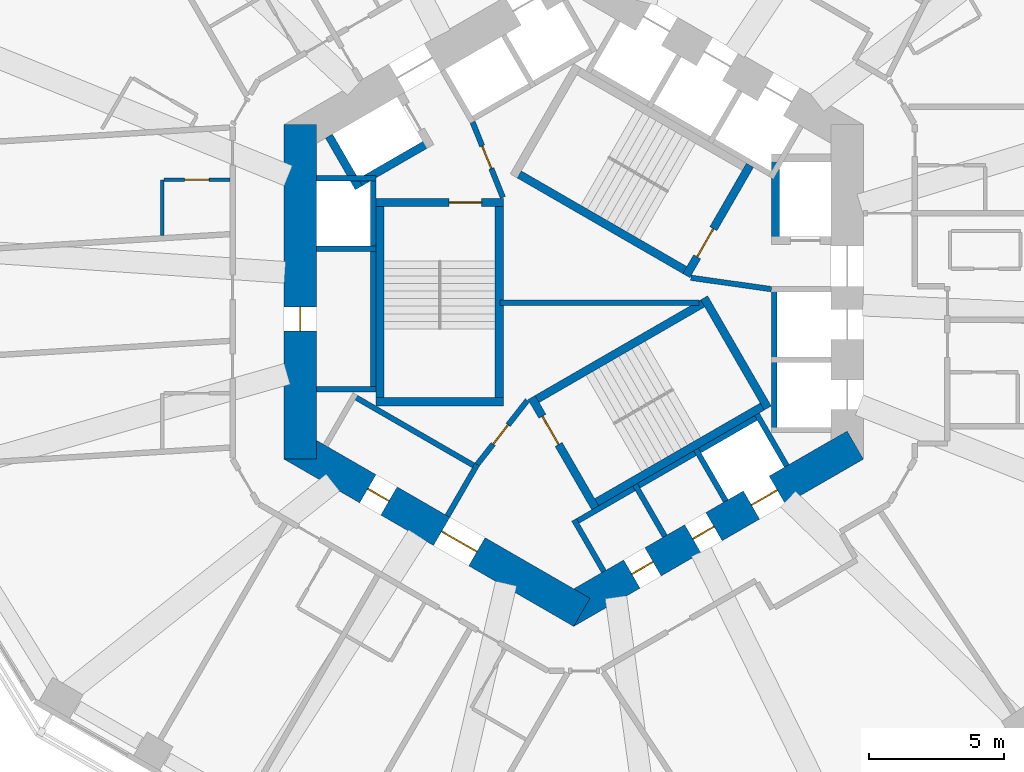
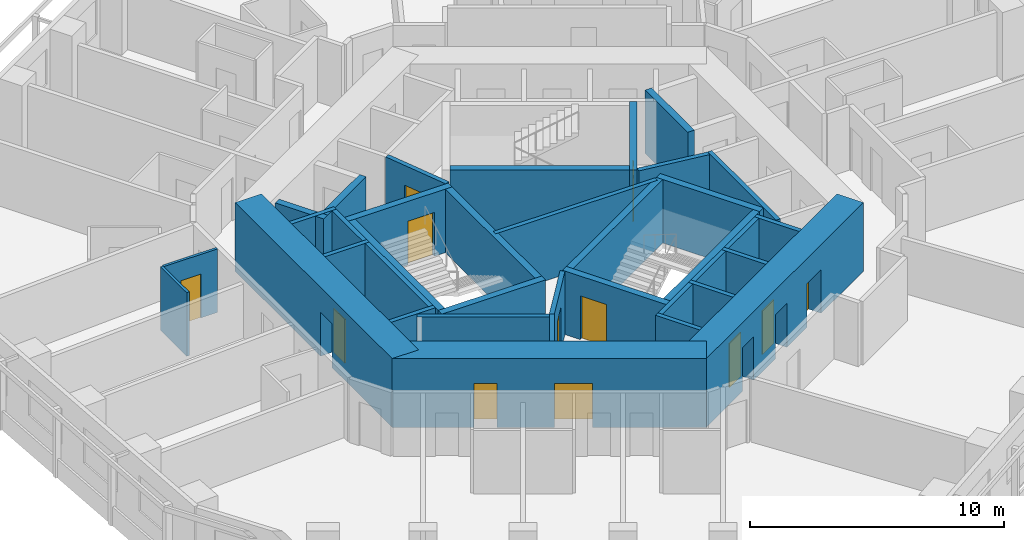
# One storey, part 5 of 12: 34 walls, 12 doors, 12 openings.
"""IFC4 building model written with IfcOpenShell, lengths in metres."""

from ifc_helpers import new_model, si_unit, direction, frame, frame_2d, origin, place, context, subcontext, project, spatial, rectangle, extrude, material, layer, layer_set, type_object, element, fill, save


model = new_model("IFC4")

# Units and contexts
model_context = context("Model", 3, precision=1e-05, world=origin(), true_north=direction((0.0, 1.0)))
body_context = subcontext(model_context, "Body", "Model", "MODEL_VIEW")
ifc_project = project(units=[si_unit("LENGTHUNIT", "METRE"), si_unit("AREAUNIT", "SQUARE_METRE"), si_unit("VOLUMEUNIT", "CUBIC_METRE"), si_unit("PLANEANGLEUNIT", "RADIAN"), si_unit("MASSUNIT", "GRAM", prefix="KILO")], contexts=[model_context])

# Site, building, storey
site_placement = place(None, origin())
site = spatial("IfcSite", under=ifc_project, at=site_placement, CompositionType="ELEMENT")
building_placement = place(site_placement, origin())
building = spatial("IfcBuilding", under=site, at=building_placement, Name="Vanh Sen Convention Tower", CompositionType="ELEMENT")
storey_placement = place(building_placement, frame((0.0, 0.0, 93.5)))
storey = spatial("IfcBuildingStorey", under=building, at=storey_placement, Name="L21", CompositionType="ELEMENT", Elevation=93.5)

# Wall
ifc_material_1 = material(Name="Moisture-resistant gypsum board on steel studs", Category="steel")
ifc_layer_1 = layer(ifc_material_1, 0.1201171875)
ifc_layer_set_1 = layer_set([ifc_layer_1], Name="Moisture-resistant gypsum board on steel studs")
wall_type_1 = type_object("IfcWallType", Name="Bathroom partition 120", PredefinedType="PARTITIONING", material=ifc_layer_set_1)
wall_1_placement = place(storey_placement, frame((-15.199951171875, 2.080322265625, 0.0), z_axis=(0.0, 0.0, 1.0), x_axis=(0.0, 1.0, 0.0)))
element("IfcWall", 1, at=wall_1_placement, inside=storey, type_object=wall_type_1, Name="Bathroom partition 120", PredefinedType="PARTITIONING", context=body_context, shape_type="SweptSolid", body=[
    extrude(rectangle(XDim=2.05908203125, YDim=0.1201171875, at=frame_2d((1.029541015625, 0.0))), origin(), (0.0, 0.0, 1.0), 3.050048828125),
])

# Wall, opening, door
wall_2_placement = place(storey_placement, frame((-15.139892578125, 4.139404296875, 0.0), z_axis=(0.0, 0.0, 1.0), x_axis=(1.0, 0.0, 0.0)))
wall_2 = element("IfcWall", 2, at=wall_2_placement, inside=storey, type_object=wall_type_1, Name="Bathroom partition 120", PredefinedType="PARTITIONING", context=body_context, shape_type="SweptSolid", body=[
    extrude(rectangle(XDim=2.43994140625, YDim=0.1201171875, at=frame_2d((1.219970703125, 0.0))), origin(), (0.0, 0.0, 1.0), 3.050048828125),
])
opening_1_placement = place(wall_2_placement, frame((0.77001953125, 0.0, 0.0)))
opening_1 = element("IfcOpeningElement", 3, at=opening_1_placement, cuts=wall_2, Name="Opening D19126", PredefinedType="OPENING", context=body_context, shape_type="SweptSolid", body=[
    extrude(rectangle(XDim=0.89990234375, YDim=2.10009765625, at=frame_2d((0.449951171875, 1.050048828125))), frame((0.0, 0.070068359375, 0.0), z_axis=(0.0, -1.0, 0.0), x_axis=(1.0, 0.0, 0.0)), (0.0, 0.0, 1.0), 0.14013671875),
])
ifc_material_2 = material(Name="Laminate door in steel frame", Category="steel")
door_type_1 = type_object("IfcDoorType", Name="En-suite door 900", OperationType="SINGLE_SWING_LEFT", PredefinedType="DOOR", material=ifc_material_2)
door_1_placement = place(opening_1_placement, origin())
door_1 = element("IfcDoor", 4, at=door_1_placement, inside=storey, type_object=door_type_1, Name="En-suite door D19126", OperationType="SINGLE_SWING_LEFT", OverallHeight=2.10009765625, OverallWidth=0.89990234375, PredefinedType="DOOR", context=body_context, shape_type="SweptSolid", body=[
    extrude(rectangle(XDim=0.89990234375, YDim=2.10009765625, at=frame_2d((0.449951171875, 1.050048828125))), frame((0.0, 0.02490234375, 0.0), z_axis=(0.0, -1.0, 0.0), x_axis=(1.0, 0.0, 0.0)), (0.0, 0.0, 1.0), 0.050048828125),
])
fill(opening_1, door_1)

ifc_material_3 = material(Name="Concrete C80/95", Category="concrete")
ifc_layer_2 = layer(ifc_material_3, 1.199951171875)
ifc_layer_set_2 = layer_set([ifc_layer_2], Name="Concrete C80/95")
wall_type_2 = type_object("IfcWallType", Name="Core outer wall 1200 C80/95", PredefinedType="SHEAR", material=ifc_layer_set_2)
wall_3_placement = place(storey_placement, frame((-10.10009765625, 6.177490234375, 0.0), z_axis=(0.0, 0.0, 1.0), x_axis=(0.0, -1.0, 0.0)))
wall_3 = element("IfcWall", 5, at=wall_3_placement, inside=storey, type_object=wall_type_2, Name="Core wall face W L21", PredefinedType="SHEAR", context=body_context, shape_type="SweptSolid", body=[
    extrude(rectangle(XDim=12.35498046875, YDim=1.199951171875, at=frame_2d((6.177490234375, 0.0))), origin(), (0.0, 0.0, 1.0), 3.300048828125),
])
opening_2_placement = place(wall_3_placement, frame((6.7275390625, 0.0, 0.0)))
opening_2 = element("IfcOpeningElement", 6, at=opening_2_placement, cuts=wall_3, Name="Opening D19009", PredefinedType="OPENING", context=body_context, shape_type="SweptSolid", body=[
    extrude(rectangle(XDim=0.89990234375, YDim=2.10009765625, at=frame_2d((0.449951171875, 1.050048828125))), frame((0.0, 0.60986328125, 0.0), z_axis=(0.0, -1.0, 0.0), x_axis=(1.0, 0.0, 0.0)), (0.0, 0.0, 1.0), 1.219970703125),
])
ifc_material_4 = material(Name="Steel S355", Category="steel")
door_type_2 = type_object("IfcDoorType", Name="Plant door 900", OperationType="SINGLE_SWING_LEFT", PredefinedType="DOOR", material=ifc_material_4)
door_2_placement = place(opening_2_placement, origin())
door_2 = element("IfcDoor", 7, at=door_2_placement, inside=storey, type_object=door_type_2, Name="Plant door D19009", OperationType="SINGLE_SWING_LEFT", OverallHeight=2.10009765625, OverallWidth=0.89990234375, PredefinedType="DOOR", context=body_context, shape_type="SweptSolid", body=[
    extrude(rectangle(XDim=0.89990234375, YDim=2.10009765625, at=frame_2d((0.449951171875, 1.050048828125))), frame((0.0, 0.02490234375, 0.0), z_axis=(0.0, -1.0, 0.0), x_axis=(1.0, 0.0, 0.0)), (0.0, 0.0, 1.0), 0.050048828125),
])
fill(opening_2, door_2)

# Wall, openings, doors
wall_4_placement = place(storey_placement, frame((-10.39990234375, -5.657958984375, 0.0), z_axis=(0.0, 0.0, 1.0), x_axis=(0.866021384402, -0.500006961711, 0.0)))
wall_4 = element("IfcWall", 8, at=wall_4_placement, inside=storey, type_object=wall_type_2, Name="Core wall face SW L21", PredefinedType="SHEAR", context=body_context, shape_type="SweptSolid", body=[
    extrude(rectangle(XDim=12.355224609375, YDim=1.199951171875, at=frame_2d((6.177734375, 0.0))), origin(), (0.0, 0.0, 1.0), 3.300048828125),
])
opening_3_placement = place(wall_4_placement, frame((6.377685546875, 0.0, 0.0)))
opening_3 = element("IfcOpeningElement", 9, at=opening_3_placement, cuts=wall_4, Name="Opening D19003", PredefinedType="OPENING", context=body_context, shape_type="SweptSolid", body=[
    extrude(rectangle(XDim=1.5, YDim=2.10009765625, at=frame_2d((0.75, 1.050048828125))), frame((0.0, 0.60986328125, 0.0), z_axis=(0.0, -1.0, 0.0), x_axis=(1.0, 0.0, 0.0)), (0.0, 0.0, 1.0), 1.219970703125),
])
opening_4_placement = place(wall_4_placement, frame((3.227783203125, 0.0, 0.0)))
opening_4 = element("IfcOpeningElement", 10, at=opening_4_placement, cuts=wall_4, Name="Opening D19010", PredefinedType="OPENING", context=body_context, shape_type="SweptSolid", body=[
    extrude(rectangle(XDim=0.89990234375, YDim=2.10009765625, at=frame_2d((0.449951171875, 1.050048828125))), frame((0.0, 0.60986328125, 0.0), z_axis=(0.0, -1.0, 0.0), x_axis=(1.0, 0.0, 0.0)), (0.0, 0.0, 1.0), 1.219970703125),
])
door_3_placement = place(opening_4_placement, origin())
door_3 = element("IfcDoor", 11, at=door_3_placement, inside=storey, type_object=door_type_2, Name="Plant door D19010", OperationType="SINGLE_SWING_LEFT", OverallHeight=2.10009765625, OverallWidth=0.89990234375, PredefinedType="DOOR", context=body_context, shape_type="SweptSolid", body=[
    extrude(rectangle(XDim=0.89990234375, YDim=2.10009765625, at=frame_2d((0.449951171875, 1.050048828125))), frame((0.0, 0.02490234375, 0.0), z_axis=(0.0, -1.0, 0.0), x_axis=(1.0, 0.0, 0.0)), (0.0, 0.0, 1.0), 0.050048828125),
])
fill(opening_4, door_3)
door_type_3 = type_object("IfcDoorType", Name="Stair lobby door 1500", OperationType="DOUBLE_DOOR_SINGLE_SWING", PredefinedType="DOOR", material=ifc_material_4)
door_4_placement = place(opening_3_placement, origin())
door_4 = element("IfcDoor", 12, at=door_4_placement, inside=storey, type_object=door_type_3, Name="Stair lobby door D19003", OperationType="DOUBLE_DOOR_SINGLE_SWING", OverallHeight=2.10009765625, OverallWidth=1.5, PredefinedType="DOOR", context=body_context, shape_type="SweptSolid", body=[
    extrude(rectangle(XDim=1.5, YDim=2.10009765625, at=frame_2d((0.75, 1.050048828125))), frame((0.0, 0.02490234375, 0.0), z_axis=(0.0, -1.0, 0.0), x_axis=(1.0, 0.0, 0.0)), (0.0, 0.0, 1.0), 0.050048828125),
])
fill(opening_3, door_4)

wall_5_placement = place(storey_placement, frame((-0.300048828125, -11.835693359375, 0.0), z_axis=(0.0, 0.0, 1.0), x_axis=(0.866021384402, 0.500006961711, 0.0)))
wall_5 = element("IfcWall", 13, at=wall_5_placement, inside=storey, type_object=wall_type_2, Name="Core wall face SE L21", PredefinedType="SHEAR", context=body_context, shape_type="SweptSolid", body=[
    extrude(rectangle(XDim=12.355224609375, YDim=1.199951171875, at=frame_2d((6.177734375, 0.0))), origin(), (0.0, 0.0, 1.0), 3.300048828125),
])
opening_5_placement = place(wall_5_placement, frame((2.82763671875, 0.0, 0.0)))
opening_5 = element("IfcOpeningElement", 14, at=opening_5_placement, cuts=wall_5, Name="Opening D19011", PredefinedType="OPENING", context=body_context, shape_type="SweptSolid", body=[
    extrude(rectangle(XDim=0.89990234375, YDim=2.10009765625, at=frame_2d((0.449951171875, 1.050048828125))), frame((0.0, 0.60986328125, 0.0), z_axis=(0.0, -1.0, 0.0), x_axis=(1.0, 0.0, 0.0)), (0.0, 0.0, 1.0), 1.219970703125),
])
opening_6_placement = place(wall_5_placement, frame((5.427734375, 0.0, 0.0)))
opening_6 = element("IfcOpeningElement", 15, at=opening_6_placement, cuts=wall_5, Name="Opening D19012", PredefinedType="OPENING", context=body_context, shape_type="SweptSolid", body=[
    extrude(rectangle(XDim=0.89990234375, YDim=2.10009765625, at=frame_2d((0.449951171875, 1.050048828125))), frame((0.0, 0.60986328125, 0.0), z_axis=(0.0, -1.0, 0.0), x_axis=(1.0, 0.0, 0.0)), (0.0, 0.0, 1.0), 1.219970703125),
])
opening_7_placement = place(wall_5_placement, frame((7.927734375, 0.0, 0.0)))
opening_7 = element("IfcOpeningElement", 16, at=opening_7_placement, cuts=wall_5, Name="Opening LD-SV1", PredefinedType="OPENING", context=body_context, shape_type="SweptSolid", body=[
    extrude(rectangle(XDim=1.10009765625, YDim=2.10009765625, at=frame_2d((0.550048828125, 1.050048828125))), frame((0.0, 0.60986328125, 0.0), z_axis=(0.0, -1.0, 0.0), x_axis=(1.0, 0.0, 0.0)), (0.0, 0.0, 1.0), 1.219970703125),
])
ifc_material_5 = material(Name="Stainless steel", Category="steel")
door_type_4 = type_object("IfcDoorType", Name="Lift landing door 1100", OperationType="DOUBLE_DOOR_SLIDING", PredefinedType="DOOR", material=ifc_material_5)
door_5_placement = place(opening_7_placement, origin())
door_5 = element("IfcDoor", 17, at=door_5_placement, inside=storey, type_object=door_type_4, Name="Lift SV1 landing door LD-SV1", OperationType="DOUBLE_DOOR_SLIDING", OverallHeight=2.10009765625, OverallWidth=1.10009765625, PredefinedType="DOOR", context=body_context, shape_type="SweptSolid", body=[
    extrude(rectangle(XDim=1.10009765625, YDim=2.10009765625, at=frame_2d((0.550048828125, 1.050048828125))), frame((0.0, 0.02490234375, 0.0), z_axis=(0.0, -1.0, 0.0), x_axis=(1.0, 0.0, 0.0)), (0.0, 0.0, 1.0), 0.050048828125),
])
fill(opening_7, door_5)
door_6_placement = place(opening_5_placement, origin())
door_6 = element("IfcDoor", 18, at=door_6_placement, inside=storey, type_object=door_type_2, Name="Plant door D19011", OperationType="SINGLE_SWING_LEFT", OverallHeight=2.10009765625, OverallWidth=0.89990234375, PredefinedType="DOOR", context=body_context, shape_type="SweptSolid", body=[
    extrude(rectangle(XDim=0.89990234375, YDim=2.10009765625, at=frame_2d((0.449951171875, 1.050048828125))), frame((0.0, 0.02490234375, 0.0), z_axis=(0.0, -1.0, 0.0), x_axis=(1.0, 0.0, 0.0)), (0.0, 0.0, 1.0), 0.050048828125),
])
fill(opening_5, door_6)
door_7_placement = place(opening_6_placement, origin())
door_7 = element("IfcDoor", 19, at=door_7_placement, inside=storey, type_object=door_type_2, Name="Plant door D19012", OperationType="SINGLE_SWING_LEFT", OverallHeight=2.10009765625, OverallWidth=0.89990234375, PredefinedType="DOOR", context=body_context, shape_type="SweptSolid", body=[
    extrude(rectangle(XDim=0.89990234375, YDim=2.10009765625, at=frame_2d((0.449951171875, 1.050048828125))), frame((0.0, 0.02490234375, 0.0), z_axis=(0.0, -1.0, 0.0), x_axis=(1.0, 0.0, 0.0)), (0.0, 0.0, 1.0), 0.050048828125),
])
fill(opening_6, door_7)

# Walls
ifc_material_6 = material(Name="Masonry blockwork", Category="masonry")
ifc_layer_3 = layer(ifc_material_6, 0.199951171875)
ifc_layer_set_3 = layer_set([ifc_layer_3], Name="Masonry blockwork")
wall_type_3 = type_object("IfcWallType", Name="Core partition 200", PredefinedType="PARTITIONING", material=ifc_layer_set_3)
wall_6_placement = place(storey_placement, frame((-2.719970703125, -0.39990234375, 0.0), z_axis=(0.0, 0.0, 1.0), x_axis=(1.0, 0.0, 0.0)))
element("IfcWall", 20, at=wall_6_placement, inside=storey, type_object=wall_type_3, Name="Core partition L21", PredefinedType="PARTITIONING", context=body_context, shape_type="SweptSolid", body=[
    extrude(rectangle(XDim=7.34716796875, YDim=0.199951171875, at=frame_2d((3.673583984375, 0.0))), origin(), (0.0, 0.0, 1.0), 3.050048828125),
])
ifc_material_7 = material(Name="Concrete C60/75", Category="concrete")
ifc_layer_4 = layer(ifc_material_7, 0.300048828125)
ifc_layer_set_4 = layer_set([ifc_layer_4], Name="Concrete C60/75")
wall_type_4 = type_object("IfcWallType", Name="Fire-fighting lift shaft wall 300", PredefinedType="SHEAR", material=ifc_layer_set_4)
wall_7_placement = place(storey_placement, frame((7.449951171875, 1.75, 0.0), z_axis=(0.0, 0.0, 1.0), x_axis=(0.0, 1.0, 0.0)))
element("IfcWall", 21, at=wall_7_placement, inside=storey, type_object=wall_type_4, Name="Fire-fighting lift shaft wall L21", PredefinedType="SHEAR", context=body_context, shape_type="SweptSolid", body=[
    extrude(rectangle(XDim=3.35009765625, YDim=0.300048828125, at=frame_2d((1.675048828125, 0.0))), origin(), (0.0, 0.0, 1.0), 3.050048828125),
])
wall_8_placement = place(storey_placement, frame((-5.240478515625, 5.576904296875, 0.0), z_axis=(0.0, 0.0, 1.0), x_axis=(-0.866014461049, -0.500018952895, 0.0)))
element("IfcWall", 22, at=wall_8_placement, inside=storey, type_object=wall_type_4, Name="Fire-fighting lift shaft wall L21", PredefinedType="SHEAR", context=body_context, shape_type="SweptSolid", body=[
    extrude(rectangle(XDim=3.349853515625, YDim=0.300048828125, at=frame_2d((1.6748046875, 0.0))), origin(), (0.0, 0.0, 1.0), 3.050048828125),
])
wall_9_placement = place(storey_placement, frame((-7.936767578125, 3.846923828125, 0.0), z_axis=(0.0, 0.0, 1.0), x_axis=(-0.50002983664, 0.866008176907, 0.0)))
element("IfcWall", 23, at=wall_9_placement, inside=storey, type_object=wall_type_4, Name="Fire-fighting lift shaft wall L21", PredefinedType="SHEAR", context=body_context, shape_type="SweptSolid", body=[
    extrude(rectangle(XDim=2.199951171875, YDim=0.300048828125, at=frame_2d((1.10009765625, 0.0))), origin(), (0.0, 0.0, 1.0), 3.050048828125),
])
ifc_material_8 = material(Name="Concrete C40/50", Category="concrete")
ifc_layer_5 = layer(ifc_material_8, 0.199951171875)
ifc_layer_set_5 = layer_set([ifc_layer_5], Name="Concrete C40/50")
wall_type_5 = type_object("IfcWallType", Name="Lift shaft wall 200", PredefinedType="PARTITIONING", material=ifc_layer_set_5)
wall_10_placement = place(storey_placement, frame((7.39990234375, -5.199951171875, 0.0), z_axis=(0.0, 0.0, 1.0), x_axis=(0.0, 1.0, 0.0)))
element("IfcWall", 24, at=wall_10_placement, inside=storey, type_object=wall_type_5, Name="Lift shaft wall L21", PredefinedType="PARTITIONING", context=body_context, shape_type="SweptSolid", body=[
    extrude(rectangle(XDim=5.39990234375, YDim=0.199951171875, at=frame_2d((2.699951171875, 0.0))), origin(), (0.0, 0.0, 1.0), 3.050048828125),
])
wall_11_placement = place(storey_placement, frame((-7.39990234375, 4.300048828125, 0.0), z_axis=(0.0, 0.0, 1.0), x_axis=(0.0, -1.0, 0.0)))
element("IfcWall", 25, at=wall_11_placement, inside=storey, type_object=wall_type_5, Name="Lift shaft wall L21", PredefinedType="PARTITIONING", context=body_context, shape_type="SweptSolid", body=[
    extrude(rectangle(XDim=8.0, YDim=0.199951171875, at=frame_2d((4.0, 0.0))), origin(), (0.0, 0.0, 1.0), 3.050048828125),
])
for number, where, z_axis, x_axis, name in (
    (26, (-7.300048828125, 4.199951171875, 0.0), (0.0, 0.0, 1.0), (-1.0, 0.0, 0.0), "Lift shaft wall L21"),
    (27, (-7.300048828125, 1.60009765625, 0.0), (0.0, 0.0, 1.0), (-1.0, 0.0, 0.0), "Lift shaft wall L21"),
    (28, (-7.300048828125, -3.60009765625, 0.0), (0.0, 0.0, 1.0), (-1.0, 0.0, 0.0), "Lift shaft wall L21"),
):
    element("IfcWall", number, at=place(storey_placement, frame(where, z_axis=z_axis, x_axis=x_axis)), inside=storey, type_object=wall_type_5, Name=name, PredefinedType="PARTITIONING", context=body_context, shape_type="SweptSolid", body=[
        extrude(rectangle(XDim=2.199951171875, YDim=0.199951171875, at=frame_2d((1.10009765625, 0.0))), origin(), (0.0, 0.0, 1.0), 3.050048828125),
    ])
wall_12_placement = place(storey_placement, frame((-8.203369140625, -3.80859375, 0.0), z_axis=(0.0, 0.0, 1.0), x_axis=(0.866028230842, -0.499995103361, 0.0)))
element("IfcWall", 29, at=wall_12_placement, inside=storey, type_object=wall_type_5, Name="Lift shaft wall L21", PredefinedType="PARTITIONING", context=body_context, shape_type="SweptSolid", body=[
    extrude(rectangle(XDim=5.39990234375, YDim=0.199951171875, at=frame_2d((2.699951171875, 0.0))), origin(), (0.0, 0.0, 1.0), 3.050048828125),
])
wall_13_placement = place(storey_placement, frame((-3.5634765625, -6.3720703125, 0.0), z_axis=(0.0, 0.0, 1.0), x_axis=(-0.499994660107, -0.866028486751, 0.0)))
element("IfcWall", 30, at=wall_13_placement, inside=storey, type_object=wall_type_5, Name="Lift shaft wall L21", PredefinedType="PARTITIONING", context=body_context, shape_type="SweptSolid", body=[
    extrude(rectangle(XDim=2.19970703125, YDim=0.199951171875, at=frame_2d((1.099853515625, 0.0))), origin(), (0.0, 0.0, 1.0), 3.050048828125),
])
wall_14_placement = place(storey_placement, frame((-0.02392578125, -8.55859375, 0.0), z_axis=(0.0, 0.0, 1.0), x_axis=(0.866026010844, 0.49999894854, 0.0)))
element("IfcWall", 31, at=wall_14_placement, inside=storey, type_object=wall_type_5, Name="Lift shaft wall L21", PredefinedType="PARTITIONING", context=body_context, shape_type="SweptSolid", body=[
    extrude(rectangle(XDim=8.0, YDim=0.199951171875, at=frame_2d((4.0, 0.0))), origin(), (0.0, 0.0, 1.0), 3.050048828125),
])
for number, where, z_axis, x_axis, name in (
    (32, (0.0126953125, -8.422119140625, 0.0), (0.0, 0.0, 1.0), (0.500077893725, -0.86598042715, 0.0), "Lift shaft wall L21"),
    (33, (2.264404296875, -7.1220703125, 0.0), (0.0, 0.0, 1.0), (0.500077893725, -0.86598042715, 0.0), "Lift shaft wall L21"),
    (34, (4.51611328125, -5.822021484375, 0.0), (0.0, 0.0, 1.0), (0.499946605688, -0.86605622881, 0.0), "Lift shaft wall L21"),
    (35, (6.767578125, -4.52197265625, 0.0), (0.0, 0.0, 1.0), (0.50002983664, -0.866008176907, 0.0), "Lift shaft wall L21"),
):
    element("IfcWall", number, at=place(storey_placement, frame(where, z_axis=z_axis, x_axis=x_axis)), inside=storey, type_object=wall_type_5, Name=name, PredefinedType="PARTITIONING", context=body_context, shape_type="SweptSolid", body=[
        extrude(rectangle(XDim=2.199951171875, YDim=0.199951171875, at=frame_2d((1.10009765625, 0.0))), origin(), (0.0, 0.0, 1.0), 3.050048828125),
    ])
ifc_layer_6 = layer(ifc_material_8, 0.199951171875)
ifc_layer_set_6 = layer_set([ifc_layer_6], Name="Concrete C40/50")
wall_type_6 = type_object("IfcWallType", Name="Stair lobby wall 200", PredefinedType="PARTITIONING", material=ifc_layer_set_6)
wall_15_placement = place(storey_placement, frame((4.327392578125, 0.52099609375, 0.0), z_axis=(0.0, 0.0, 1.0), x_axis=(0.990124376366, -0.14019172346, 0.0)))
element("IfcWall", 36, at=wall_15_placement, inside=storey, type_object=wall_type_6, Name="Stair lobby wall L21", PredefinedType="PARTITIONING", context=body_context, shape_type="SweptSolid", body=[
    extrude(rectangle(XDim=3.002197265625, YDim=0.199951171875, at=frame_2d((1.5009765625, 0.0))), origin(), (0.0, 0.0, 1.0), 3.050048828125),
])

# Wall, opening, door
wall_16_placement = place(storey_placement, frame((-2.614990234375, 3.487060546875, 0.0), z_axis=(0.0, 0.0, 1.0), x_axis=(-0.373576831041, 0.92759924068, 0.0)))
wall_16 = element("IfcWall", 37, at=wall_16_placement, inside=storey, type_object=wall_type_6, Name="Stair lobby wall L21", PredefinedType="PARTITIONING", context=body_context, shape_type="SweptSolid", body=[
    extrude(rectangle(XDim=3.002197265625, YDim=0.199951171875, at=frame_2d((1.5009765625, 0.0))), origin(), (0.0, 0.0, 1.0), 3.050048828125),
])
opening_8_placement = place(wall_16_placement, frame((1.14990234375, 0.0, 0.0)))
opening_8 = element("IfcOpeningElement", 38, at=opening_8_placement, cuts=wall_16, Name="Opening D19007", PredefinedType="OPENING", context=body_context, shape_type="SweptSolid", body=[
    extrude(rectangle(XDim=0.89990234375, YDim=2.10009765625, at=frame_2d((0.449951171875, 1.050048828125))), frame((0.0, 0.10986328125, 0.0), z_axis=(0.0, -1.0, 0.0), x_axis=(1.0, 0.0, 0.0)), (0.0, 0.0, 1.0), 0.219970703125),
])
door_8_placement = place(opening_8_placement, origin())
door_8 = element("IfcDoor", 39, at=door_8_placement, inside=storey, type_object=door_type_2, Name="Plant door D19007", OperationType="SINGLE_SWING_LEFT", OverallHeight=2.10009765625, OverallWidth=0.89990234375, PredefinedType="DOOR", context=body_context, shape_type="SweptSolid", body=[
    extrude(rectangle(XDim=0.89990234375, YDim=2.10009765625, at=frame_2d((0.449951171875, 1.050048828125))), frame((0.0, 0.02490234375, 0.0), z_axis=(0.0, -1.0, 0.0), x_axis=(1.0, 0.0, 0.0)), (0.0, 0.0, 1.0), 0.050048828125),
])
fill(opening_8, door_8)

wall_17_placement = place(storey_placement, frame((-1.71240234375, -4.00830078125, 0.0), z_axis=(0.0, 0.0, 1.0), x_axis=(-0.616549420702, -0.787316208287, 0.0)))
wall_17 = element("IfcWall", 40, at=wall_17_placement, inside=storey, type_object=wall_type_6, Name="Stair lobby wall L21", PredefinedType="PARTITIONING", context=body_context, shape_type="SweptSolid", body=[
    extrude(rectangle(XDim=3.002197265625, YDim=0.199951171875, at=frame_2d((1.5009765625, 0.0))), origin(), (0.0, 0.0, 1.0), 3.050048828125),
])
opening_9_placement = place(wall_17_placement, frame((1.14990234375, 0.0, 0.0)))
opening_9 = element("IfcOpeningElement", 41, at=opening_9_placement, cuts=wall_17, Name="Opening D19008", PredefinedType="OPENING", context=body_context, shape_type="SweptSolid", body=[
    extrude(rectangle(XDim=0.89990234375, YDim=2.10009765625, at=frame_2d((0.449951171875, 1.050048828125))), frame((0.0, 0.10986328125, 0.0), z_axis=(0.0, -1.0, 0.0), x_axis=(1.0, 0.0, 0.0)), (0.0, 0.0, 1.0), 0.219970703125),
])
door_9_placement = place(opening_9_placement, origin())
door_9 = element("IfcDoor", 42, at=door_9_placement, inside=storey, type_object=door_type_2, Name="Plant door D19008", OperationType="SINGLE_SWING_LEFT", OverallHeight=2.10009765625, OverallWidth=0.89990234375, PredefinedType="DOOR", context=body_context, shape_type="SweptSolid", body=[
    extrude(rectangle(XDim=0.89990234375, YDim=2.10009765625, at=frame_2d((0.449951171875, 1.050048828125))), frame((0.0, 0.02490234375, 0.0), z_axis=(0.0, -1.0, 0.0), x_axis=(1.0, 0.0, 0.0)), (0.0, 0.0, 1.0), 0.050048828125),
])
fill(opening_9, door_9)

ifc_layer_7 = layer(ifc_material_7, 0.300048828125)
ifc_layer_set_7 = layer_set([ifc_layer_7], Name="Concrete C60/75")
wall_type_7 = type_object("IfcWallType", Name="Stair wall 300", PredefinedType="SHEAR", material=ifc_layer_set_7)
wall_18_placement = place(storey_placement, frame((4.157958984375, 0.601806640625, 0.0), z_axis=(0.0, 0.0, 1.0), x_axis=(0.499977259774, 0.866038532462, 0.0)))
wall_18 = element("IfcWall", 43, at=wall_18_placement, inside=storey, type_object=wall_type_7, Name="Stair wall L21", PredefinedType="SHEAR", context=body_context, shape_type="SweptSolid", body=[
    extrude(rectangle(XDim=4.699951171875, YDim=0.300048828125, at=frame_2d((2.35009765625, 0.0))), origin(), (0.0, 0.0, 1.0), 3.050048828125),
])
opening_10_placement = place(wall_18_placement, frame((0.800048828125, 0.0, 0.0)))
opening_10 = element("IfcOpeningElement", 44, at=opening_10_placement, cuts=wall_18, Name="Opening D19004", PredefinedType="OPENING", context=body_context, shape_type="SweptSolid", body=[
    extrude(rectangle(XDim=1.199951171875, YDim=2.10009765625, at=frame_2d((0.60009765625, 1.050048828125))), frame((0.0, 0.159912109375, 0.0), z_axis=(0.0, -1.0, 0.0), x_axis=(1.0, 0.0, 0.0)), (0.0, 0.0, 1.0), 0.320068359375),
])
door_type_5 = type_object("IfcDoorType", Name="Stair door 1200", OperationType="SINGLE_SWING_RIGHT", PredefinedType="DOOR", material=ifc_material_4)
door_10_placement = place(opening_10_placement, origin())
door_10 = element("IfcDoor", 45, at=door_10_placement, inside=storey, type_object=door_type_5, Name="Stair ST1 door D19004", OperationType="SINGLE_SWING_RIGHT", OverallHeight=2.10009765625, OverallWidth=1.199951171875, PredefinedType="DOOR", context=body_context, shape_type="SweptSolid", body=[
    extrude(rectangle(XDim=1.199951171875, YDim=2.10009765625, at=frame_2d((0.60009765625, 1.050048828125))), frame((0.0, 0.02490234375, 0.0), z_axis=(0.0, -1.0, 0.0), x_axis=(1.0, 0.0, 0.0)), (0.0, 0.0, 1.0), 0.050048828125),
])
fill(opening_10, door_10)

# Wall
wall_19_placement = place(storey_placement, frame((4.10302734375, 0.806640625, 0.0), z_axis=(0.0, 0.0, 1.0), x_axis=(-0.866027801685, 0.499995846692, 0.0)))
element("IfcWall", 46, at=wall_19_placement, inside=storey, type_object=wall_type_7, Name="Stair wall L21", PredefinedType="SHEAR", context=body_context, shape_type="SweptSolid", body=[
    extrude(rectangle(XDim=7.06005859375, YDim=0.300048828125, at=frame_2d((3.530029296875, 0.0))), origin(), (0.0, 0.0, 1.0), 3.050048828125),
])

# Wall, opening, door
wall_20_placement = place(storey_placement, frame((-2.60009765625, 3.300048828125, 0.0), z_axis=(0.0, 0.0, 1.0), x_axis=(-1.0, 0.0, 0.0)))
wall_20 = element("IfcWall", 47, at=wall_20_placement, inside=storey, type_object=wall_type_7, Name="Stair wall L21", PredefinedType="SHEAR", context=body_context, shape_type="SweptSolid", body=[
    extrude(rectangle(XDim=4.699951171875, YDim=0.300048828125, at=frame_2d((2.35009765625, 0.0))), origin(), (0.0, 0.0, 1.0), 3.050048828125),
])
opening_11_placement = place(wall_20_placement, frame((0.800048828125, 0.0, 0.0)))
opening_11 = element("IfcOpeningElement", 48, at=opening_11_placement, cuts=wall_20, Name="Opening D19005", PredefinedType="OPENING", context=body_context, shape_type="SweptSolid", body=[
    extrude(rectangle(XDim=1.199951171875, YDim=2.10009765625, at=frame_2d((0.60009765625, 1.050048828125))), frame((0.0, 0.159912109375, 0.0), z_axis=(0.0, -1.0, 0.0), x_axis=(1.0, 0.0, 0.0)), (0.0, 0.0, 1.0), 0.320068359375),
])
door_11_placement = place(opening_11_placement, origin())
door_11 = element("IfcDoor", 49, at=door_11_placement, inside=storey, type_object=door_type_5, Name="Stair ST2 door D19005", OperationType="SINGLE_SWING_RIGHT", OverallHeight=2.10009765625, OverallWidth=1.199951171875, PredefinedType="DOOR", context=body_context, shape_type="SweptSolid", body=[
    extrude(rectangle(XDim=1.199951171875, YDim=2.10009765625, at=frame_2d((0.60009765625, 1.050048828125))), frame((0.0, 0.02490234375, 0.0), z_axis=(0.0, -1.0, 0.0), x_axis=(1.0, 0.0, 0.0)), (0.0, 0.0, 1.0), 0.050048828125),
])
fill(opening_11, door_11)

# Walls
wall_21_placement = place(storey_placement, frame((-2.60009765625, -4.06005859375, 0.0), z_axis=(0.0, 0.0, 1.0), x_axis=(-1.0, 0.0, 0.0)))
element("IfcWall", 50, at=wall_21_placement, inside=storey, type_object=wall_type_7, Name="Stair wall L21", PredefinedType="SHEAR", context=body_context, shape_type="SweptSolid", body=[
    extrude(rectangle(XDim=4.699951171875, YDim=0.300048828125, at=frame_2d((2.35009765625, 0.0))), origin(), (0.0, 0.0, 1.0), 3.050048828125),
])
for number, where, z_axis, x_axis, name in (
    (51, (-2.75, 3.14990234375, 0.0), (0.0, 0.0, 1.0), (0.0, -1.0, 0.0), "Stair wall L21"),
    (52, (-7.14990234375, 3.14990234375, 0.0), (0.0, 0.0, 1.0), (0.0, -1.0, 0.0), "Stair wall L21"),
):
    element("IfcWall", number, at=place(storey_placement, frame(where, z_axis=z_axis, x_axis=x_axis)), inside=storey, type_object=wall_type_7, Name=name, PredefinedType="SHEAR", context=body_context, shape_type="SweptSolid", body=[
        extrude(rectangle(XDim=7.059814453125, YDim=0.300048828125, at=frame_2d((3.52978515625, 0.0))), origin(), (0.0, 0.0, 1.0), 3.050048828125),
    ])

# Wall, opening, door
wall_22_placement = place(storey_placement, frame((-1.557861328125, -3.901611328125, 0.0), z_axis=(0.0, 0.0, 1.0), x_axis=(0.499977259774, -0.866038532462, 0.0)))
wall_22 = element("IfcWall", 53, at=wall_22_placement, inside=storey, type_object=wall_type_7, Name="Stair wall L21", PredefinedType="SHEAR", context=body_context, shape_type="SweptSolid", body=[
    extrude(rectangle(XDim=4.699951171875, YDim=0.300048828125, at=frame_2d((2.35009765625, 0.0))), origin(), (0.0, 0.0, 1.0), 3.050048828125),
])
opening_12_placement = place(wall_22_placement, frame((0.800048828125, 0.0, 0.0)))
opening_12 = element("IfcOpeningElement", 54, at=opening_12_placement, cuts=wall_22, Name="Opening D19006", PredefinedType="OPENING", context=body_context, shape_type="SweptSolid", body=[
    extrude(rectangle(XDim=1.199951171875, YDim=2.10009765625, at=frame_2d((0.60009765625, 1.050048828125))), frame((0.0, 0.159912109375, 0.0), z_axis=(0.0, -1.0, 0.0), x_axis=(1.0, 0.0, 0.0)), (0.0, 0.0, 1.0), 0.320068359375),
])
door_12_placement = place(opening_12_placement, origin())
door_12 = element("IfcDoor", 55, at=door_12_placement, inside=storey, type_object=door_type_5, Name="Stair ST3 door D19006", OperationType="SINGLE_SWING_RIGHT", OverallHeight=2.10009765625, OverallWidth=1.199951171875, PredefinedType="DOOR", context=body_context, shape_type="SweptSolid", body=[
    extrude(rectangle(XDim=1.199951171875, YDim=2.10009765625, at=frame_2d((0.60009765625, 1.050048828125))), frame((0.0, 0.02490234375, 0.0), z_axis=(0.0, -1.0, 0.0), x_axis=(1.0, 0.0, 0.0)), (0.0, 0.0, 1.0), 0.050048828125),
])
fill(opening_12, door_12)

# Walls
wall_23_placement = place(storey_placement, frame((4.816162109375, -0.2216796875, 0.0), z_axis=(0.0, 0.0, 1.0), x_axis=(0.499977259774, -0.866038532462, 0.0)))
element("IfcWall", 56, at=wall_23_placement, inside=storey, type_object=wall_type_7, Name="Stair wall L21", PredefinedType="SHEAR", context=body_context, shape_type="SweptSolid", body=[
    extrude(rectangle(XDim=4.699951171875, YDim=0.300048828125, at=frame_2d((2.35009765625, 0.0))), origin(), (0.0, 0.0, 1.0), 3.050048828125),
])
for number, where, z_axis, x_axis, name in (
    (57, (-1.35302734375, -3.95654296875, 0.0), (0.0, 0.0, 1.0), (0.866027801685, 0.499995846692, 0.0), "Stair wall L21"),
    (58, (0.846923828125, -7.76708984375, 0.0), (0.0, 0.0, 1.0), (0.866027801685, 0.499995846692, 0.0), "Stair wall L21"),
):
    element("IfcWall", number, at=place(storey_placement, frame(where, z_axis=z_axis, x_axis=x_axis)), inside=storey, type_object=wall_type_7, Name=name, PredefinedType="SHEAR", context=body_context, shape_type="SweptSolid", body=[
        extrude(rectangle(XDim=7.06005859375, YDim=0.300048828125, at=frame_2d((3.530029296875, 0.0))), origin(), (0.0, 0.0, 1.0), 3.050048828125),
    ])

save(model, "model.ifc")
